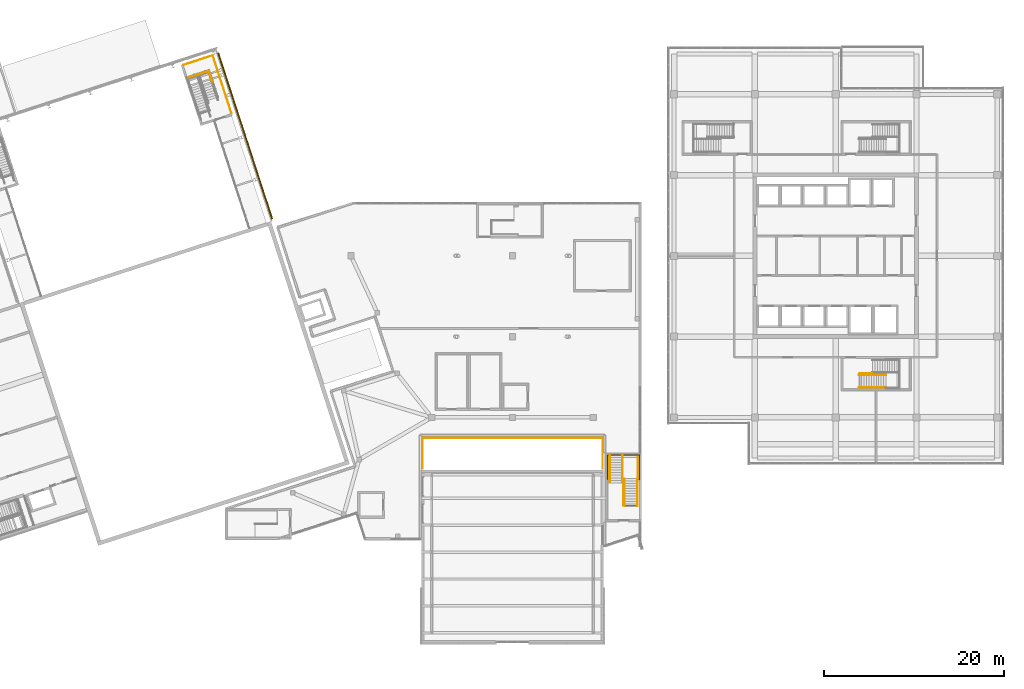
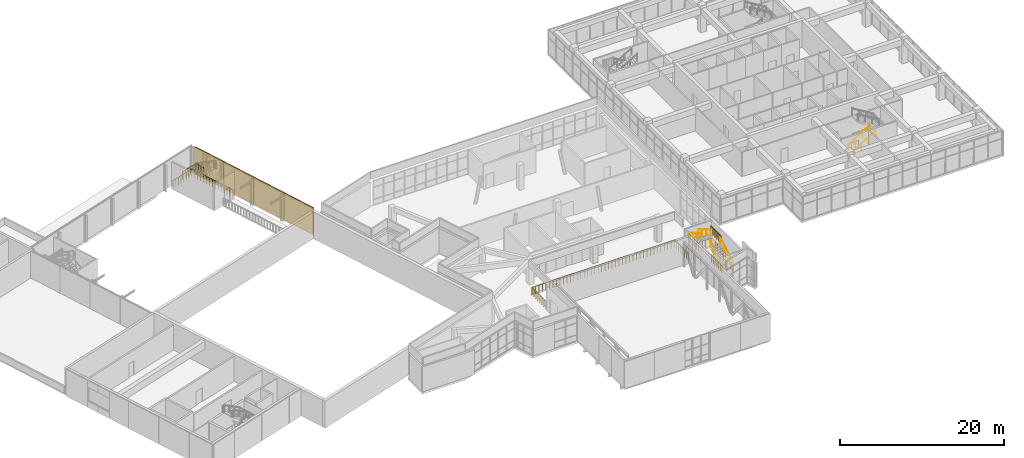
# One storey, part 70 of 72: 15 railings, 4 coverings.
"""IFC4 building model written with IfcOpenShell, lengths in metres."""

import ifcopenshell
import ifcopenshell.guid

model = None  # the IFC model being written
_history = None  # IfcOwnerHistory: only IFC2X3 demands one
_inside = {}  # id of a spatial element -> (the spatial element, [elements in it])
_under = {}  # id of a project, library or spatial element -> (it, [spatial elements below it])
_declared = {}  # id of a project -> (the project, [libraries it declares])
_typed = {}  # id of a type object -> (the type object, [elements of that type])
_made_of = {}  # id of a material, layer set ... -> (it, [elements and type objects made of it])


def new_model(schema):
    """Start an empty IFC model of exactly this schema.

    Asked for "IFC4X3", IfcOpenShell would pick the latest addendum, in which some entities
    have other attributes; the version numbers below select the first issue.
    IFC2X3 requires an IfcOwnerHistory on every rooted entity: one is made here for all.
    """
    global model, _history
    if schema == "IFC4X3":
        model = ifcopenshell.file(schema_version=(4, 3, 0, 0))
    else:
        model = ifcopenshell.file(schema=schema)
    _inside.clear()
    _under.clear()
    _declared.clear()
    _typed.clear()
    _made_of.clear()
    _history = None
    if model.schema == "IFC2X3":
        org = make("IfcOrganization", Name="unknown")
        user = make(
            "IfcPersonAndOrganization",
            ThePerson=make("IfcPerson", FamilyName="unknown"),
            TheOrganization=org,
        )
        app = make(
            "IfcApplication",
            ApplicationDeveloper=org,
            Version="unknown",
            ApplicationFullName="unknown",
            ApplicationIdentifier="unknown",
        )
        _history = make(
            "IfcOwnerHistory",
            OwningUser=user,
            OwningApplication=app,
            ChangeAction="ADDED",
            CreationDate=0,
        )
    return model


def make(cls, **values):
    """One entity of the class cls with the attributes given. An attribute that is None is left unset."""
    return model.create_entity(
        cls, **{name: value for name, value in values.items() if value is not None}
    )


def rooted(cls, **values):
    """An entity with a GlobalId (a new one), such as an element, a storey or a relation."""
    return make(cls, GlobalId=ifcopenshell.guid.new(), OwnerHistory=_history, **values)


def si_unit(unit_type, name, prefix=None):
    """IfcSIUnit, for example si_unit("LENGTHUNIT", "METRE", prefix="MILLI")."""
    return make("IfcSIUnit", UnitType=unit_type, Prefix=prefix, Name=name)


def assignment(units):
    """IfcUnitAssignment: the units of a project."""
    return None if units is None else make("IfcUnitAssignment", Units=units)


def point(xyz):
    """IfcCartesianPoint."""
    return None if xyz is None else make("IfcCartesianPoint", Coordinates=xyz)


def direction(xyz):
    """IfcDirection."""
    return None if xyz is None else make("IfcDirection", DirectionRatios=xyz)


def frame(location, z_axis=None, x_axis=None):
    """IfcAxis2Placement3D, a coordinate frame: its origin and axes. An axis left out is left unset."""
    return make(
        "IfcAxis2Placement3D",
        Location=point(location),
        Axis=direction(z_axis),
        RefDirection=direction(x_axis),
    )


def frame_2d(location, x_axis=None):
    """IfcAxis2Placement2D, a coordinate frame in the plane: its origin and x axis."""
    return make(
        "IfcAxis2Placement2D", Location=point(location), RefDirection=direction(x_axis)
    )


def origin():
    """The frame at (0, 0, 0) with its axes left unset."""
    return frame((0.0, 0.0, 0.0))


def origin_2d():
    """The frame at (0, 0) in the plane with its x axis left unset."""
    return frame_2d((0.0, 0.0))


def place(relative_to, where):
    """IfcLocalPlacement: puts the frame where relative to a parent placement (None: the world)."""
    return make(
        "IfcLocalPlacement", PlacementRelTo=relative_to, RelativePlacement=where
    )


def context(
    kind, dimensions, precision=None, world=None, true_north=None, identifier=None
):
    """IfcGeometricRepresentationContext, for example the 3D "Model" context."""
    return make(
        "IfcGeometricRepresentationContext",
        ContextIdentifier=identifier,
        ContextType=kind,
        CoordinateSpaceDimension=dimensions,
        Precision=precision,
        WorldCoordinateSystem=world,
        TrueNorth=true_north,
    )


def subcontext(parent, identifier, kind, view, scale=None):
    """IfcGeometricRepresentationSubContext, for example "Body" below "Model"."""
    return make(
        "IfcGeometricRepresentationSubContext",
        ContextIdentifier=identifier,
        ContextType=kind,
        ParentContext=parent,
        TargetScale=scale,
        TargetView=view,
    )


def project(units=None, contexts=None):
    """IfcProject with its units and contexts."""
    return rooted(
        "IfcProject",
        Name="project",
        RepresentationContexts=contexts,
        UnitsInContext=assignment(units),
    )


def spatial(cls, under=None, at=None, **own):
    """A site, building, storey or space (cls), placed at a placement, below another one or the project."""
    s = rooted(cls, ObjectPlacement=at, **own)
    if under is not None:
        _under.setdefault(under.id(), (under, []))[1].append(s)
    return s


def polyline(points):
    """IfcPolyline through the points."""
    return make("IfcPolyline", Points=[point(p) for p in points])


def profile(cls, at=None, kind="AREA", **sizes):
    """A parametric profile (cls). Its sizes go by their IFC names, for example OverallWidth=200.0."""
    return make(cls, ProfileType=kind, Position=at, **sizes)


def circle(**sizes):
    """IfcCircleProfileDef."""
    return profile("IfcCircleProfileDef", **sizes)


def outline(outer, holes=None, kind="AREA"):
    """IfcArbitraryClosedProfileDef: a profile drawn as a closed curve; with holes, ...WithVoids."""
    if holes is None:
        return make("IfcArbitraryClosedProfileDef", ProfileType=kind, OuterCurve=outer)
    return make(
        "IfcArbitraryProfileDefWithVoids",
        ProfileType=kind,
        OuterCurve=outer,
        InnerCurves=holes,
    )


def extrude(swept, where, along, depth):
    """IfcExtrudedAreaSolid: the profile swept, set in the frame where, extruded along a direction by depth."""
    return make(
        "IfcExtrudedAreaSolid",
        SweptArea=swept,
        Position=where,
        ExtrudedDirection=direction(along),
        Depth=depth,
    )


def shape(context_of_items, identifier, shape_type, items):
    """IfcShapeRepresentation: the items that make up one representation, for example the "Body"."""
    return make(
        "IfcShapeRepresentation",
        ContextOfItems=context_of_items,
        RepresentationIdentifier=identifier,
        RepresentationType=shape_type,
        Items=items,
    )


def material(Name=None, Category=None):
    """IfcMaterial."""
    return make("IfcMaterial", Name=Name, Category=Category)


def layer(
    of_material, thickness, ventilated=None, Name=None, Category=None, Priority=None
):
    """IfcMaterialLayer: one layer of a wall or slab, of a material (None: an air gap)."""
    return make(
        "IfcMaterialLayer",
        Material=of_material,
        LayerThickness=thickness,
        IsVentilated=ventilated,
        Name=Name,
        Category=Category,
        Priority=Priority,
    )


def layer_set(layers, Name=None):
    """IfcMaterialLayerSet."""
    return make("IfcMaterialLayerSet", MaterialLayers=layers, LayerSetName=Name)


def made_of(thing, what):
    """Note that an element or type object is made of a material, layer set ...; save() writes the relation."""
    if what is not None:
        _made_of.setdefault(what.id(), (what, []))[1].append(thing)
    return thing


def type_object(cls, material=None, **own):
    """A type object (cls), such as IfcWallType, which elements share."""
    return made_of(rooted(cls, **own), material)


def element(
    cls,
    number,
    at=None,
    inside=None,
    cuts=None,
    type_object=None,
    material=None,
    context=None,
    identifier="Body",
    shape_type=None,
    held_by="IfcProductDefinitionShape",
    body=None,
    shapes=None,
    **own,
):
    """One element of the class cls, such as IfcWall. Its Tag is "e" and its number.

    at: its placement. inside: the storey or other place that contains it. cuts: it is an
    opening in that element (IfcRelVoidsElement). A single representation is given by context,
    identifier, shape_type and body (its items); several are given by shapes. held_by: the class
    of the entity that holds the representations. save() writes the other relations.
    """
    e = rooted(cls, Tag="e%d" % number, ObjectPlacement=at, **own)
    if body is not None:
        shapes = [shape(context, identifier, shape_type, body)]
    if shapes is not None:
        e.Representation = make(held_by, Representations=shapes)
    if inside is not None:
        _inside.setdefault(inside.id(), (inside, []))[1].append(e)
    if cuts is not None:
        rooted(
            "IfcRelVoidsElement", RelatingBuildingElement=cuts, RelatedOpeningElement=e
        )
    if type_object is not None:
        _typed.setdefault(type_object.id(), (type_object, []))[1].append(e)
    return made_of(e, material)


def aggregate(whole, parts):
    """IfcRelAggregates: a whole, such as a stair, and the parts it consists of."""
    return rooted("IfcRelAggregates", RelatingObject=whole, RelatedObjects=parts)


def save(model, path):
    """Write the relations noted so far, then the file.

    IfcRelAggregates (storeys below a building ...), IfcRelContainedInSpatialStructure (elements
    in a storey), IfcRelDefinesByType, IfcRelAssociatesMaterial and IfcRelDeclares: one each for
    every whole, place, type object, material and project.
    """
    for whole, parts in _under.values():
        aggregate(whole, parts)
    for where, things in _inside.values():
        rooted(
            "IfcRelContainedInSpatialStructure",
            RelatedElements=things,
            RelatingStructure=where,
        )
    for kind, things in _typed.values():
        rooted("IfcRelDefinesByType", RelatedObjects=things, RelatingType=kind)
    for what, things in _made_of.values():
        rooted("IfcRelAssociatesMaterial", RelatedObjects=things, RelatingMaterial=what)
    for by, libraries in _declared.values():
        rooted("IfcRelDeclares", RelatingContext=by, RelatedDefinitions=libraries)
    model.write(path)


model = new_model("IFC4")

# Units and contexts
model_context = context("Model", 3, precision=1e-05, world=origin(), true_north=direction((0.0, 1.0)))
body_context = subcontext(model_context, "Body", "Model", "MODEL_VIEW")
ifc_project = project(units=[si_unit("LENGTHUNIT", "METRE"), si_unit("AREAUNIT", "SQUARE_METRE"), si_unit("VOLUMEUNIT", "CUBIC_METRE"), si_unit("PLANEANGLEUNIT", "RADIAN"), si_unit("MASSUNIT", "GRAM", prefix="KILO")], contexts=[model_context])

# Site, building, storey
site_placement = place(None, origin())
site = spatial("IfcSite", under=ifc_project, at=site_placement, CompositionType="ELEMENT")
building_placement = place(site_placement, origin())
building = spatial("IfcBuilding", under=site, at=building_placement, Name="Tuart Plaza Theatre", CompositionType="ELEMENT")
storey_placement = place(building_placement, frame((0.0, 0.0, 13.5)))
storey = spatial("IfcBuildingStorey", under=building, at=storey_placement, Name="L03", CompositionType="ELEMENT", Elevation=13.5)

# Coverings
ifc_material_1 = material(Name="Zinc")
ifc_layer = layer(ifc_material_1, 0.14990234375)
ifc_layer_set = layer_set([ifc_layer], Name="COVERING-ZINC-RAINSCREEN150")
covering_type = type_object("IfcCoveringType", Name="COVERING-ZINC-RAINSCREEN150", PredefinedType="CLADDING", material=ifc_layer_set)
covering_1_placement = place(storey_placement, origin())
element("IfcCovering", 1, at=covering_1_placement, inside=storey, type_object=covering_type, Name="CL12", PredefinedType="CLADDING", context=body_context, shape_type="SweptSolid", body=[
    extrude(outline(polyline([(69.151611328125, 78.084228515625), (67.68701171875, 82.59228515625), (67.82958984375, 82.638671875), (69.29443359375, 78.130615234375), (69.151611328125, 78.084228515625)])), origin(), (0.0, 0.0, 1.0), 4.0),
])
covering_2_placement = place(storey_placement, origin())
element("IfcCovering", 2, at=covering_2_placement, inside=storey, type_object=covering_type, Name="CL13", PredefinedType="CLADDING", context=body_context, shape_type="SweptSolid", body=[
    extrude(outline(polyline([(67.680908203125, 82.611328125), (66.1572265625, 87.300048828125), (66.300048828125, 87.346435546875), (67.823486328125, 82.65771484375), (67.680908203125, 82.611328125)])), origin(), (0.0, 0.0, 1.0), 4.0),
])
covering_3_placement = place(storey_placement, origin())
element("IfcCovering", 3, at=covering_3_placement, inside=storey, type_object=covering_type, Name="CL14", PredefinedType="CLADDING", context=body_context, shape_type="SweptSolid", body=[
    extrude(outline(polyline([(66.151123046875, 87.319091796875), (64.627685546875, 92.0078125), (64.770263671875, 92.05419921875), (66.293701171875, 87.365478515625), (66.151123046875, 87.319091796875)])), origin(), (0.0, 0.0, 1.0), 4.0),
])
covering_4_placement = place(storey_placement, origin())
element("IfcCovering", 4, at=covering_4_placement, inside=storey, type_object=covering_type, Name="CL15", PredefinedType="CLADDING", context=body_context, shape_type="SweptSolid", body=[
    extrude(outline(polyline([(64.62158203125, 92.02685546875), (63.141357421875, 96.582275390625), (63.283935546875, 96.628662109375), (64.76416015625, 92.072998046875), (64.62158203125, 92.02685546875)])), origin(), (0.0, 0.0, 1.0), 4.0),
])

# Railings
ifc_material_2 = material(Name="Steel Grade C350L0", Category="steel")
railing_type_1 = type_object("IfcRailingType", Name="RAILING Guard 1100", PredefinedType="GUARDRAIL", material=ifc_material_2)
railing_1_placement = place(storey_placement, frame((59.880615234375, 93.85107421875, 2.0)))
element("IfcRailing", 5, at=railing_1_placement, inside=storey, type_object=railing_type_1, Name="GR86", PredefinedType="GUARDRAIL", context=body_context, shape_type="SweptSolid", body=[
    extrude(circle(Radius=0.02490234375, at=origin_2d()), frame((0.0, 0.0, 1.0751953125), z_axis=(0.951066681605, 0.308985707017, 0.0), x_axis=(-0.308985707017, 0.951066681605, 0.0)), (0.0, 0.0, 1.0), 2.420166015625),
    extrude(circle(Radius=0.02001953125, at=origin_2d()), origin(), (0.0, 0.0, 1.0), 1.050048828125),
    extrude(circle(Radius=0.02001953125, at=origin_2d()), frame((0.46044921875, 0.149658203125, 0.0)), (0.0, 0.0, 1.0), 1.050048828125),
    extrude(circle(Radius=0.02001953125, at=origin_2d()), frame((0.920654296875, 0.299072265625, 0.0)), (0.0, 0.0, 1.0), 1.050048828125),
    extrude(circle(Radius=0.02001953125, at=origin_2d()), frame((1.381103515625, 0.44873046875, 0.0)), (0.0, 0.0, 1.0), 1.050048828125),
    extrude(circle(Radius=0.02001953125, at=origin_2d()), frame((1.84130859375, 0.59814453125, 0.0)), (0.0, 0.0, 1.0), 1.050048828125),
    extrude(circle(Radius=0.02001953125, at=origin_2d()), frame((2.3017578125, 0.747802734375, 0.0)), (0.0, 0.0, 1.0), 1.050048828125),
])
railing_2_placement = place(storey_placement, frame((62.182373046875, 94.598876953125, 2.0)))
element("IfcRailing", 6, at=railing_2_placement, inside=storey, type_object=railing_type_1, Name="GR87", PredefinedType="GUARDRAIL", context=body_context, shape_type="SweptSolid", body=[
    extrude(circle(Radius=0.02490234375, at=origin_2d()), frame((0.0, 0.0, 1.0751953125), z_axis=(0.309072606719, -0.951038444952, 0.0), x_axis=(0.951038444952, 0.309072606719, 0.0)), (0.0, 0.0, 1.0), 1.22998046875),
    extrude(circle(Radius=0.02001953125, at=origin_2d()), origin(), (0.0, 0.0, 1.0), 1.050048828125),
    extrude(circle(Radius=0.02001953125, at=origin_2d()), frame((0.126708984375, -0.389892578125, 0.0)), (0.0, 0.0, 1.0), 1.050048828125),
    extrude(circle(Radius=0.02001953125, at=origin_2d()), frame((0.25341796875, -0.77978515625, 0.0)), (0.0, 0.0, 1.0), 1.050048828125),
    extrude(circle(Radius=0.02001953125, at=origin_2d()), frame((0.380126953125, -1.169677734375, 0.0)), (0.0, 0.0, 1.0), 1.050048828125),
])
railing_3_placement = place(storey_placement, frame((64.69384765625, 89.894775390625, 0.0)))
element("IfcRailing", 7, at=railing_3_placement, inside=storey, type_object=railing_type_1, Name="GR105", PredefinedType="GUARDRAIL", context=body_context, shape_type="SweptSolid", body=[
    extrude(circle(Radius=0.02490234375, at=origin_2d()), frame((0.0, 0.0, 1.0751953125), z_axis=(-0.309029765674, 0.951052366554, 0.0), x_axis=(-0.951052366554, -0.309029765674, 0.0)), (0.0, 0.0, 1.0), 6.764892578125),
    extrude(circle(Radius=0.02490234375, at=origin_2d()), frame((-2.090576171875, 6.433837890625, 1.0751953125), z_axis=(-0.951065061555, -0.308990693531, 0.0), x_axis=(0.308990693531, -0.951065061555, 0.0)), (0.0, 0.0, 1.0), 3.414794921875),
    extrude(circle(Radius=0.02001953125, at=origin_2d()), origin(), (0.0, 0.0, 1.0), 1.050048828125),
    extrude(circle(Radius=0.02001953125, at=origin_2d()), frame((-0.1494140625, 0.45947265625, 0.0)), (0.0, 0.0, 1.0), 1.050048828125),
    extrude(circle(Radius=0.02001953125, at=origin_2d()), frame((-0.298583984375, 0.919189453125, 0.0)), (0.0, 0.0, 1.0), 1.050048828125),
    extrude(circle(Radius=0.02001953125, at=origin_2d()), frame((-0.447998046875, 1.378662109375, 0.0)), (0.0, 0.0, 1.0), 1.050048828125),
    extrude(circle(Radius=0.02001953125, at=origin_2d()), frame((-0.597412109375, 1.838134765625, 0.0)), (0.0, 0.0, 1.0), 1.050048828125),
    extrude(circle(Radius=0.02001953125, at=origin_2d()), frame((-0.74658203125, 2.2978515625, 0.0)), (0.0, 0.0, 1.0), 1.050048828125),
    extrude(circle(Radius=0.02001953125, at=origin_2d()), frame((-0.89599609375, 2.75732421875, 0.0)), (0.0, 0.0, 1.0), 1.050048828125),
    extrude(circle(Radius=0.02001953125, at=origin_2d()), frame((-1.04541015625, 3.216796875, 0.0)), (0.0, 0.0, 1.0), 1.050048828125),
    extrude(circle(Radius=0.02001953125, at=origin_2d()), frame((-1.194580078125, 3.676513671875, 0.0)), (0.0, 0.0, 1.0), 1.050048828125),
    extrude(circle(Radius=0.02001953125, at=origin_2d()), frame((-1.343994140625, 4.135986328125, 0.0)), (0.0, 0.0, 1.0), 1.050048828125),
    extrude(circle(Radius=0.02001953125, at=origin_2d()), frame((-1.4931640625, 4.595703125, 0.0)), (0.0, 0.0, 1.0), 1.050048828125),
    extrude(circle(Radius=0.02001953125, at=origin_2d()), frame((-1.642578125, 5.05517578125, 0.0)), (0.0, 0.0, 1.0), 1.050048828125),
    extrude(circle(Radius=0.02001953125, at=origin_2d()), frame((-1.7919921875, 5.5146484375, 0.0)), (0.0, 0.0, 1.0), 1.050048828125),
    extrude(circle(Radius=0.02001953125, at=origin_2d()), frame((-1.941162109375, 5.974365234375, 0.0)), (0.0, 0.0, 1.0), 1.050048828125),
    extrude(circle(Radius=0.02001953125, at=origin_2d()), frame((-2.090576171875, 6.433837890625, 0.0)), (0.0, 0.0, 1.0), 1.050048828125),
    extrude(circle(Radius=0.02001953125, at=origin_2d()), frame((-2.554443359375, 6.283203125, 0.0)), (0.0, 0.0, 1.0), 1.050048828125),
    extrude(circle(Radius=0.02001953125, at=origin_2d()), frame((-3.0185546875, 6.13232421875, 0.0)), (0.0, 0.0, 1.0), 1.050048828125),
    extrude(circle(Radius=0.02001953125, at=origin_2d()), frame((-3.482421875, 5.981689453125, 0.0)), (0.0, 0.0, 1.0), 1.050048828125),
    extrude(circle(Radius=0.02001953125, at=origin_2d()), frame((-3.946533203125, 5.830810546875, 0.0)), (0.0, 0.0, 1.0), 1.050048828125),
    extrude(circle(Radius=0.02001953125, at=origin_2d()), frame((-4.410400390625, 5.68017578125, 0.0)), (0.0, 0.0, 1.0), 1.050048828125),
    extrude(circle(Radius=0.02001953125, at=origin_2d()), frame((-4.87451171875, 5.529296875, 0.0)), (0.0, 0.0, 1.0), 1.050048828125),
    extrude(circle(Radius=0.02001953125, at=origin_2d()), frame((-5.33837890625, 5.378662109375, 0.0)), (0.0, 0.0, 1.0), 1.050048828125),
])
railing_4_placement = place(storey_placement, frame((108.3798828125, 46.159912109375, 0.0)))
element("IfcRailing", 8, at=railing_4_placement, inside=storey, type_object=railing_type_1, Name="GR151", PredefinedType="GUARDRAIL", context=body_context, shape_type="SweptSolid", body=[
    extrude(circle(Radius=0.02490234375, at=origin_2d()), frame((0.0, 0.0, 1.0751953125), z_axis=(0.0, 1.0, 0.0), x_axis=(-1.0, 0.0, 0.0)), (0.0, 0.0, 1.0), 2.5751953125),
    extrude(circle(Radius=0.02001953125, at=origin_2d()), origin(), (0.0, 0.0, 1.0), 1.050048828125),
    extrude(circle(Radius=0.02001953125, at=origin_2d()), frame((0.0, 0.42919921875, 0.0)), (0.0, 0.0, 1.0), 1.050048828125),
    extrude(circle(Radius=0.02001953125, at=origin_2d()), frame((0.0, 0.8583984375, 0.0)), (0.0, 0.0, 1.0), 1.050048828125),
    extrude(circle(Radius=0.02001953125, at=origin_2d()), frame((0.0, 1.28759765625, 0.0)), (0.0, 0.0, 1.0), 1.050048828125),
    extrude(circle(Radius=0.02001953125, at=origin_2d()), frame((0.0, 1.716796875, 0.0)), (0.0, 0.0, 1.0), 1.050048828125),
    extrude(circle(Radius=0.02001953125, at=origin_2d()), frame((0.0, 2.14599609375, 0.0)), (0.0, 0.0, 1.0), 1.050048828125),
    extrude(circle(Radius=0.02001953125, at=origin_2d()), frame((0.0, 2.5751953125, 0.0)), (0.0, 0.0, 1.0), 1.050048828125),
])
railing_5_placement = place(storey_placement, frame((106.800048828125, 48.739990234375, 0.0)))
element("IfcRailing", 9, at=railing_5_placement, inside=storey, type_object=railing_type_1, Name="GR152", PredefinedType="GUARDRAIL", context=body_context, shape_type="SweptSolid", body=[
    extrude(circle(Radius=0.02490234375, at=origin_2d()), frame((0.0, 0.0, 1.0751953125), z_axis=(-1.0, 0.0, 0.0), x_axis=(0.0, -1.0, 0.0)), (0.0, 0.0, 1.0), 0.045166015625),
    extrude(circle(Radius=0.02490234375, at=origin_2d()), frame((-0.045166015625, 0.0, 1.0751953125), z_axis=(0.0, 1.0, 0.0), x_axis=(-1.0, 0.0, 0.0)), (0.0, 0.0, 1.0), 0.3701171875),
    extrude(circle(Radius=0.02490234375, at=origin_2d()), frame((-0.045166015625, 0.3701171875, 1.0751953125), z_axis=(-1.0, 0.0, 0.0), x_axis=(0.0, -1.0, 0.0)), (0.0, 0.0, 1.0), 0.15478515625),
    extrude(circle(Radius=0.02490234375, at=origin_2d()), frame((-0.199951171875, 0.3701171875, 1.0751953125), z_axis=(0.0, 1.0, 0.0), x_axis=(-1.0, 0.0, 0.0)), (0.0, 0.0, 1.0), 2.68994140625),
    extrude(circle(Radius=0.02490234375, at=origin_2d()), frame((-0.199951171875, 3.06005859375, 1.0751953125), z_axis=(1.0, 0.0, 0.0), x_axis=(0.0, 1.0, 0.0)), (0.0, 0.0, 1.0), 3.559814453125),
    extrude(circle(Radius=0.02490234375, at=origin_2d()), frame((3.35986328125, 3.06005859375, 1.0751953125), z_axis=(0.0, -1.0, 0.0), x_axis=(1.0, 0.0, 0.0)), (0.0, 0.0, 1.0), 2.68994140625),
    extrude(circle(Radius=0.02490234375, at=origin_2d()), frame((3.35986328125, 0.3701171875, 1.0751953125), z_axis=(-1.0, 0.0, 0.0), x_axis=(0.0, -1.0, 0.0)), (0.0, 0.0, 1.0), 0.155029296875),
    extrude(circle(Radius=0.02490234375, at=origin_2d()), frame((3.204833984375, 0.3701171875, 1.0751953125), z_axis=(0.0, -1.0, 0.0), x_axis=(1.0, 0.0, 0.0)), (0.0, 0.0, 1.0), 2.9501953125),
    extrude(circle(Radius=0.02490234375, at=origin_2d()), frame((3.204833984375, -2.580078125, 1.0751953125), z_axis=(-1.0, 0.0, 0.0), x_axis=(0.0, -1.0, 0.0)), (0.0, 0.0, 1.0), 1.625),
    extrude(circle(Radius=0.02001953125, at=origin_2d()), origin(), (0.0, 0.0, 1.0), 1.050048828125),
    extrude(circle(Radius=0.02001953125, at=origin_2d()), frame((-0.045166015625, 0.0, 0.0)), (0.0, 0.0, 1.0), 1.050048828125),
    extrude(circle(Radius=0.02001953125, at=origin_2d()), frame((-0.045166015625, 0.3701171875, 0.0)), (0.0, 0.0, 1.0), 1.050048828125),
    extrude(circle(Radius=0.02001953125, at=origin_2d()), frame((-0.199951171875, 0.3701171875, 0.0)), (0.0, 0.0, 1.0), 1.050048828125),
    extrude(circle(Radius=0.02001953125, at=origin_2d()), frame((-0.199951171875, 0.818359375, 0.0)), (0.0, 0.0, 1.0), 1.050048828125),
    extrude(circle(Radius=0.02001953125, at=origin_2d()), frame((-0.199951171875, 1.266845703125, 0.0)), (0.0, 0.0, 1.0), 1.050048828125),
    extrude(circle(Radius=0.02001953125, at=origin_2d()), frame((-0.199951171875, 1.715087890625, 0.0)), (0.0, 0.0, 1.0), 1.050048828125),
    extrude(circle(Radius=0.02001953125, at=origin_2d()), frame((-0.199951171875, 2.163330078125, 0.0)), (0.0, 0.0, 1.0), 1.050048828125),
    extrude(circle(Radius=0.02001953125, at=origin_2d()), frame((-0.199951171875, 2.61181640625, 0.0)), (0.0, 0.0, 1.0), 1.050048828125),
    extrude(circle(Radius=0.02001953125, at=origin_2d()), frame((-0.199951171875, 3.06005859375, 0.0)), (0.0, 0.0, 1.0), 1.050048828125),
    extrude(circle(Radius=0.02001953125, at=origin_2d()), frame((0.2451171875, 3.06005859375, 0.0)), (0.0, 0.0, 1.0), 1.050048828125),
    extrude(circle(Radius=0.02001953125, at=origin_2d()), frame((0.68994140625, 3.06005859375, 0.0)), (0.0, 0.0, 1.0), 1.050048828125),
    extrude(circle(Radius=0.02001953125, at=origin_2d()), frame((1.135009765625, 3.06005859375, 0.0)), (0.0, 0.0, 1.0), 1.050048828125),
    extrude(circle(Radius=0.02001953125, at=origin_2d()), frame((1.580078125, 3.06005859375, 0.0)), (0.0, 0.0, 1.0), 1.050048828125),
    extrude(circle(Radius=0.02001953125, at=origin_2d()), frame((2.02490234375, 3.06005859375, 0.0)), (0.0, 0.0, 1.0), 1.050048828125),
    extrude(circle(Radius=0.02001953125, at=origin_2d()), frame((2.469970703125, 3.06005859375, 0.0)), (0.0, 0.0, 1.0), 1.050048828125),
    extrude(circle(Radius=0.02001953125, at=origin_2d()), frame((2.914794921875, 3.06005859375, 0.0)), (0.0, 0.0, 1.0), 1.050048828125),
    extrude(circle(Radius=0.02001953125, at=origin_2d()), frame((3.35986328125, 3.06005859375, 0.0)), (0.0, 0.0, 1.0), 1.050048828125),
    extrude(circle(Radius=0.02001953125, at=origin_2d()), frame((3.35986328125, 2.61181640625, 0.0)), (0.0, 0.0, 1.0), 1.050048828125),
    extrude(circle(Radius=0.02001953125, at=origin_2d()), frame((3.35986328125, 2.163330078125, 0.0)), (0.0, 0.0, 1.0), 1.050048828125),
    extrude(circle(Radius=0.02001953125, at=origin_2d()), frame((3.35986328125, 1.715087890625, 0.0)), (0.0, 0.0, 1.0), 1.050048828125),
    extrude(circle(Radius=0.02001953125, at=origin_2d()), frame((3.35986328125, 1.266845703125, 0.0)), (0.0, 0.0, 1.0), 1.050048828125),
    extrude(circle(Radius=0.02001953125, at=origin_2d()), frame((3.35986328125, 0.818359375, 0.0)), (0.0, 0.0, 1.0), 1.050048828125),
    extrude(circle(Radius=0.02001953125, at=origin_2d()), frame((3.35986328125, 0.3701171875, 0.0)), (0.0, 0.0, 1.0), 1.050048828125),
    extrude(circle(Radius=0.02001953125, at=origin_2d()), frame((3.204833984375, 0.3701171875, 0.0)), (0.0, 0.0, 1.0), 1.050048828125),
    extrude(circle(Radius=0.02001953125, at=origin_2d()), frame((3.204833984375, -0.12158203125, 0.0)), (0.0, 0.0, 1.0), 1.050048828125),
    extrude(circle(Radius=0.02001953125, at=origin_2d()), frame((3.204833984375, -0.61328125, 0.0)), (0.0, 0.0, 1.0), 1.050048828125),
    extrude(circle(Radius=0.02001953125, at=origin_2d()), frame((3.204833984375, -1.10498046875, 0.0)), (0.0, 0.0, 1.0), 1.050048828125),
    extrude(circle(Radius=0.02001953125, at=origin_2d()), frame((3.204833984375, -1.5966796875, 0.0)), (0.0, 0.0, 1.0), 1.050048828125),
    extrude(circle(Radius=0.02001953125, at=origin_2d()), frame((3.204833984375, -2.08837890625, 0.0)), (0.0, 0.0, 1.0), 1.050048828125),
    extrude(circle(Radius=0.02001953125, at=origin_2d()), frame((3.204833984375, -2.580078125, 0.0)), (0.0, 0.0, 1.0), 1.050048828125),
    extrude(circle(Radius=0.02001953125, at=origin_2d()), frame((2.798583984375, -2.580078125, 0.0)), (0.0, 0.0, 1.0), 1.050048828125),
    extrude(circle(Radius=0.02001953125, at=origin_2d()), frame((2.392333984375, -2.580078125, 0.0)), (0.0, 0.0, 1.0), 1.050048828125),
    extrude(circle(Radius=0.02001953125, at=origin_2d()), frame((1.986083984375, -2.580078125, 0.0)), (0.0, 0.0, 1.0), 1.050048828125),
    extrude(circle(Radius=0.02001953125, at=origin_2d()), frame((1.579833984375, -2.580078125, 0.0)), (0.0, 0.0, 1.0), 1.050048828125),
])
railing_6_placement = place(storey_placement, frame((109.955078125, 49.159912109375, 2.0)))
element("IfcRailing", 10, at=railing_6_placement, inside=storey, type_object=railing_type_1, Name="GR161", PredefinedType="GUARDRAIL", context=body_context, shape_type="SweptSolid", body=[
    extrude(circle(Radius=0.02490234375, at=origin_2d()), frame((0.0, 0.0, 1.0751953125), z_axis=(0.0, 1.0, 0.0), x_axis=(-1.0, 0.0, 0.0)), (0.0, 0.0, 1.0), 2.440185546875),
    extrude(circle(Radius=0.02001953125, at=origin_2d()), origin(), (0.0, 0.0, 1.0), 1.050048828125),
    extrude(circle(Radius=0.02001953125, at=origin_2d()), frame((0.0, 0.488037109375, 0.0)), (0.0, 0.0, 1.0), 1.050048828125),
    extrude(circle(Radius=0.02001953125, at=origin_2d()), frame((0.0, 0.97607421875, 0.0)), (0.0, 0.0, 1.0), 1.050048828125),
    extrude(circle(Radius=0.02001953125, at=origin_2d()), frame((0.0, 1.464111328125, 0.0)), (0.0, 0.0, 1.0), 1.050048828125),
    extrude(circle(Radius=0.02001953125, at=origin_2d()), frame((0.0, 1.9521484375, 0.0)), (0.0, 0.0, 1.0), 1.050048828125),
    extrude(circle(Radius=0.02001953125, at=origin_2d()), frame((0.0, 2.440185546875, 0.0)), (0.0, 0.0, 1.0), 1.050048828125),
])
railing_7_placement = place(storey_placement, frame((106.804931640625, 51.60009765625, 2.0)))
element("IfcRailing", 11, at=railing_7_placement, inside=storey, type_object=railing_type_1, Name="GR162", PredefinedType="GUARDRAIL", context=body_context, shape_type="SweptSolid", body=[
    extrude(circle(Radius=0.02490234375, at=origin_2d()), frame((0.0, 0.0, 1.0751953125), z_axis=(0.0, -1.0, 0.0), x_axis=(1.0, 0.0, 0.0)), (0.0, 0.0, 1.0), 2.440185546875),
    extrude(circle(Radius=0.02001953125, at=origin_2d()), origin(), (0.0, 0.0, 1.0), 1.050048828125),
    extrude(circle(Radius=0.02001953125, at=origin_2d()), frame((0.0, -0.488037109375, 0.0)), (0.0, 0.0, 1.0), 1.050048828125),
    extrude(circle(Radius=0.02001953125, at=origin_2d()), frame((0.0, -0.97607421875, 0.0)), (0.0, 0.0, 1.0), 1.050048828125),
    extrude(circle(Radius=0.02001953125, at=origin_2d()), frame((0.0, -1.464111328125, 0.0)), (0.0, 0.0, 1.0), 1.050048828125),
    extrude(circle(Radius=0.02001953125, at=origin_2d()), frame((0.0, -1.9521484375, 0.0)), (0.0, 0.0, 1.0), 1.050048828125),
    extrude(circle(Radius=0.02001953125, at=origin_2d()), frame((0.0, -2.440185546875, 0.0)), (0.0, 0.0, 1.0), 1.050048828125),
])
railing_8_placement = place(storey_placement, frame((85.949951171875, 50.300048828125, 0.0)))
element("IfcRailing", 12, at=railing_8_placement, inside=storey, type_object=railing_type_1, Name="GR198", PredefinedType="GUARDRAIL", context=body_context, shape_type="SweptSolid", body=[
    extrude(circle(Radius=0.02490234375, at=origin_2d()), frame((0.0, 0.0, 1.0751953125), z_axis=(0.0, 1.0, 0.0), x_axis=(-1.0, 0.0, 0.0)), (0.0, 0.0, 1.0), 3.39990234375),
    extrude(circle(Radius=0.02490234375, at=origin_2d()), frame((0.0, 3.39990234375, 1.0751953125), z_axis=(1.0, 0.0, 0.0), x_axis=(0.0, 1.0, 0.0)), (0.0, 0.0, 1.0), 20.10009765625),
    extrude(circle(Radius=0.02490234375, at=origin_2d()), frame((20.10009765625, 3.39990234375, 1.0751953125), z_axis=(0.0, -1.0, 0.0), x_axis=(1.0, 0.0, 0.0)), (0.0, 0.0, 1.0), 3.39990234375),
    extrude(circle(Radius=0.02001953125, at=origin_2d()), origin(), (0.0, 0.0, 1.0), 1.050048828125),
    extrude(circle(Radius=0.02001953125, at=origin_2d()), frame((0.0, 0.485595703125, 0.0)), (0.0, 0.0, 1.0), 1.050048828125),
    extrude(circle(Radius=0.02001953125, at=origin_2d()), frame((0.0, 0.971435546875, 0.0)), (0.0, 0.0, 1.0), 1.050048828125),
    extrude(circle(Radius=0.02001953125, at=origin_2d()), frame((0.0, 1.45703125, 0.0)), (0.0, 0.0, 1.0), 1.050048828125),
    extrude(circle(Radius=0.02001953125, at=origin_2d()), frame((0.0, 1.94287109375, 0.0)), (0.0, 0.0, 1.0), 1.050048828125),
    extrude(circle(Radius=0.02001953125, at=origin_2d()), frame((0.0, 2.428466796875, 0.0)), (0.0, 0.0, 1.0), 1.050048828125),
    extrude(circle(Radius=0.02001953125, at=origin_2d()), frame((0.0, 2.914306640625, 0.0)), (0.0, 0.0, 1.0), 1.050048828125),
    extrude(circle(Radius=0.02001953125, at=origin_2d()), frame((0.0, 3.39990234375, 0.0)), (0.0, 0.0, 1.0), 1.050048828125),
    extrude(circle(Radius=0.02001953125, at=origin_2d()), frame((0.490234375, 3.39990234375, 0.0)), (0.0, 0.0, 1.0), 1.050048828125),
    extrude(circle(Radius=0.02001953125, at=origin_2d()), frame((0.98046875, 3.39990234375, 0.0)), (0.0, 0.0, 1.0), 1.050048828125),
    extrude(circle(Radius=0.02001953125, at=origin_2d()), frame((1.470703125, 3.39990234375, 0.0)), (0.0, 0.0, 1.0), 1.050048828125),
    extrude(circle(Radius=0.02001953125, at=origin_2d()), frame((1.9609375, 3.39990234375, 0.0)), (0.0, 0.0, 1.0), 1.050048828125),
    extrude(circle(Radius=0.02001953125, at=origin_2d()), frame((2.451171875, 3.39990234375, 0.0)), (0.0, 0.0, 1.0), 1.050048828125),
    extrude(circle(Radius=0.02001953125, at=origin_2d()), frame((2.94140625, 3.39990234375, 0.0)), (0.0, 0.0, 1.0), 1.050048828125),
    extrude(circle(Radius=0.02001953125, at=origin_2d()), frame((3.431640625, 3.39990234375, 0.0)), (0.0, 0.0, 1.0), 1.050048828125),
    extrude(circle(Radius=0.02001953125, at=origin_2d()), frame((3.921875, 3.39990234375, 0.0)), (0.0, 0.0, 1.0), 1.050048828125),
    extrude(circle(Radius=0.02001953125, at=origin_2d()), frame((4.412109375, 3.39990234375, 0.0)), (0.0, 0.0, 1.0), 1.050048828125),
    extrude(circle(Radius=0.02001953125, at=origin_2d()), frame((4.90234375, 3.39990234375, 0.0)), (0.0, 0.0, 1.0), 1.050048828125),
    extrude(circle(Radius=0.02001953125, at=origin_2d()), frame((5.392822265625, 3.39990234375, 0.0)), (0.0, 0.0, 1.0), 1.050048828125),
    extrude(circle(Radius=0.02001953125, at=origin_2d()), frame((5.883056640625, 3.39990234375, 0.0)), (0.0, 0.0, 1.0), 1.050048828125),
    extrude(circle(Radius=0.02001953125, at=origin_2d()), frame((6.373291015625, 3.39990234375, 0.0)), (0.0, 0.0, 1.0), 1.050048828125),
    extrude(circle(Radius=0.02001953125, at=origin_2d()), frame((6.863525390625, 3.39990234375, 0.0)), (0.0, 0.0, 1.0), 1.050048828125),
    extrude(circle(Radius=0.02001953125, at=origin_2d()), frame((7.353759765625, 3.39990234375, 0.0)), (0.0, 0.0, 1.0), 1.050048828125),
    extrude(circle(Radius=0.02001953125, at=origin_2d()), frame((7.843994140625, 3.39990234375, 0.0)), (0.0, 0.0, 1.0), 1.050048828125),
    extrude(circle(Radius=0.02001953125, at=origin_2d()), frame((8.334228515625, 3.39990234375, 0.0)), (0.0, 0.0, 1.0), 1.050048828125),
    extrude(circle(Radius=0.02001953125, at=origin_2d()), frame((8.824462890625, 3.39990234375, 0.0)), (0.0, 0.0, 1.0), 1.050048828125),
    extrude(circle(Radius=0.02001953125, at=origin_2d()), frame((9.314697265625, 3.39990234375, 0.0)), (0.0, 0.0, 1.0), 1.050048828125),
    extrude(circle(Radius=0.02001953125, at=origin_2d()), frame((9.804931640625, 3.39990234375, 0.0)), (0.0, 0.0, 1.0), 1.050048828125),
    extrude(circle(Radius=0.02001953125, at=origin_2d()), frame((10.295166015625, 3.39990234375, 0.0)), (0.0, 0.0, 1.0), 1.050048828125),
    extrude(circle(Radius=0.02001953125, at=origin_2d()), frame((10.785400390625, 3.39990234375, 0.0)), (0.0, 0.0, 1.0), 1.050048828125),
    extrude(circle(Radius=0.02001953125, at=origin_2d()), frame((11.275634765625, 3.39990234375, 0.0)), (0.0, 0.0, 1.0), 1.050048828125),
    extrude(circle(Radius=0.02001953125, at=origin_2d()), frame((11.765869140625, 3.39990234375, 0.0)), (0.0, 0.0, 1.0), 1.050048828125),
    extrude(circle(Radius=0.02001953125, at=origin_2d()), frame((12.256103515625, 3.39990234375, 0.0)), (0.0, 0.0, 1.0), 1.050048828125),
    extrude(circle(Radius=0.02001953125, at=origin_2d()), frame((12.746337890625, 3.39990234375, 0.0)), (0.0, 0.0, 1.0), 1.050048828125),
    extrude(circle(Radius=0.02001953125, at=origin_2d()), frame((13.236572265625, 3.39990234375, 0.0)), (0.0, 0.0, 1.0), 1.050048828125),
    extrude(circle(Radius=0.02001953125, at=origin_2d()), frame((13.726806640625, 3.39990234375, 0.0)), (0.0, 0.0, 1.0), 1.050048828125),
    extrude(circle(Radius=0.02001953125, at=origin_2d()), frame((14.217041015625, 3.39990234375, 0.0)), (0.0, 0.0, 1.0), 1.050048828125),
    extrude(circle(Radius=0.02001953125, at=origin_2d()), frame((14.707275390625, 3.39990234375, 0.0)), (0.0, 0.0, 1.0), 1.050048828125),
    extrude(circle(Radius=0.02001953125, at=origin_2d()), frame((15.19775390625, 3.39990234375, 0.0)), (0.0, 0.0, 1.0), 1.050048828125),
    extrude(circle(Radius=0.02001953125, at=origin_2d()), frame((15.68798828125, 3.39990234375, 0.0)), (0.0, 0.0, 1.0), 1.050048828125),
    extrude(circle(Radius=0.02001953125, at=origin_2d()), frame((16.17822265625, 3.39990234375, 0.0)), (0.0, 0.0, 1.0), 1.050048828125),
    extrude(circle(Radius=0.02001953125, at=origin_2d()), frame((16.66845703125, 3.39990234375, 0.0)), (0.0, 0.0, 1.0), 1.050048828125),
    extrude(circle(Radius=0.02001953125, at=origin_2d()), frame((17.15869140625, 3.39990234375, 0.0)), (0.0, 0.0, 1.0), 1.050048828125),
    extrude(circle(Radius=0.02001953125, at=origin_2d()), frame((17.64892578125, 3.39990234375, 0.0)), (0.0, 0.0, 1.0), 1.050048828125),
    extrude(circle(Radius=0.02001953125, at=origin_2d()), frame((18.13916015625, 3.39990234375, 0.0)), (0.0, 0.0, 1.0), 1.050048828125),
    extrude(circle(Radius=0.02001953125, at=origin_2d()), frame((18.62939453125, 3.39990234375, 0.0)), (0.0, 0.0, 1.0), 1.050048828125),
    extrude(circle(Radius=0.02001953125, at=origin_2d()), frame((19.11962890625, 3.39990234375, 0.0)), (0.0, 0.0, 1.0), 1.050048828125),
    extrude(circle(Radius=0.02001953125, at=origin_2d()), frame((19.60986328125, 3.39990234375, 0.0)), (0.0, 0.0, 1.0), 1.050048828125),
    extrude(circle(Radius=0.02001953125, at=origin_2d()), frame((20.10009765625, 3.39990234375, 0.0)), (0.0, 0.0, 1.0), 1.050048828125),
    extrude(circle(Radius=0.02001953125, at=origin_2d()), frame((20.10009765625, 2.914306640625, 0.0)), (0.0, 0.0, 1.0), 1.050048828125),
    extrude(circle(Radius=0.02001953125, at=origin_2d()), frame((20.10009765625, 2.428466796875, 0.0)), (0.0, 0.0, 1.0), 1.050048828125),
    extrude(circle(Radius=0.02001953125, at=origin_2d()), frame((20.10009765625, 1.94287109375, 0.0)), (0.0, 0.0, 1.0), 1.050048828125),
    extrude(circle(Radius=0.02001953125, at=origin_2d()), frame((20.10009765625, 1.45703125, 0.0)), (0.0, 0.0, 1.0), 1.050048828125),
    extrude(circle(Radius=0.02001953125, at=origin_2d()), frame((20.10009765625, 0.971435546875, 0.0)), (0.0, 0.0, 1.0), 1.050048828125),
    extrude(circle(Radius=0.02001953125, at=origin_2d()), frame((20.10009765625, 0.485595703125, 0.0)), (0.0, 0.0, 1.0), 1.050048828125),
    extrude(circle(Radius=0.02001953125, at=origin_2d()), frame((20.10009765625, 0.0, 0.0)), (0.0, 0.0, 1.0), 1.050048828125),
])
railing_9_placement = place(storey_placement, frame((134.655029296875, 60.875, 0.0)))
element("IfcRailing", 13, at=railing_9_placement, inside=storey, type_object=railing_type_1, Name="GR209", PredefinedType="GUARDRAIL", context=body_context, shape_type="SweptSolid", body=[
    extrude(circle(Radius=0.02490234375, at=origin_2d()), frame((0.0, 0.0, 1.0751953125), z_axis=(1.0, 0.0, 0.0), x_axis=(0.0, 1.0, 0.0)), (0.0, 0.0, 1.0), 1.455078125),
    extrude(circle(Radius=0.02001953125, at=origin_2d()), origin(), (0.0, 0.0, 1.0), 1.050048828125),
    extrude(circle(Radius=0.02001953125, at=origin_2d()), frame((0.485107421875, 0.0, 0.0)), (0.0, 0.0, 1.0), 1.050048828125),
    extrude(circle(Radius=0.02001953125, at=origin_2d()), frame((0.969970703125, 0.0, 0.0)), (0.0, 0.0, 1.0), 1.050048828125),
    extrude(circle(Radius=0.02001953125, at=origin_2d()), frame((1.455078125, 0.0, 0.0)), (0.0, 0.0, 1.0), 1.050048828125),
])
ifc_material_3 = material(Name="Steel Grade C350L0", Category="steel")
railing_type_2 = type_object("IfcRailingType", Name="RAILING Handrail 900", PredefinedType="HANDRAIL", material=ifc_material_3)
for number, where, name in (
    (14, (108.5048828125, 46.10009765625, 0.166748046875), "HR91"),
    (15, (109.905029296875, 46.10009765625, 0.166748046875), "HR92"),
):
    element("IfcRailing", number, at=place(storey_placement, frame(where)), inside=storey, type_object=railing_type_2, Name=name, PredefinedType="HANDRAIL", context=body_context, shape_type="SweptSolid", body=[
        extrude(circle(Radius=0.0224609375, at=origin_2d()), frame((0.0, 0.0, 0.87744140625), z_axis=(0.0, 0.859290745958, 0.51148745235), x_axis=(-1.0, 0.0, 0.0)), (0.0, 0.0, 1.0), 3.584228515625),
        extrude(circle(Radius=0.01513671875, at=origin_2d()), origin(), (0.0, 0.0, 1.0), 0.85498046875),
        extrude(circle(Radius=0.01513671875, at=origin_2d()), frame((0.0, 1.026611328125, 0.611083984375)), (0.0, 0.0, 1.0), 0.85498046875),
        extrude(circle(Radius=0.01513671875, at=origin_2d()), frame((0.0, 2.05322265625, 1.22216796875)), (0.0, 0.0, 1.0), 0.85498046875),
        extrude(circle(Radius=0.01513671875, at=origin_2d()), frame((0.0, 3.079833984375, 1.833251953125)), (0.0, 0.0, 1.0), 0.85498046875),
    ])
for number, where, name in (
    (16, (108.2548828125, 51.800048828125, 2.166748046875), "HR93"),
    (17, (106.85498046875, 51.800048828125, 2.166748046875), "HR94"),
):
    element("IfcRailing", number, at=place(storey_placement, frame(where)), inside=storey, type_object=railing_type_2, Name=name, PredefinedType="HANDRAIL", context=body_context, shape_type="SweptSolid", body=[
        extrude(circle(Radius=0.0224609375, at=origin_2d()), frame((0.0, 0.0, 0.87744140625), z_axis=(0.0, -0.859308565015, 0.511457515432), x_axis=(1.0, 0.0, 0.0)), (0.0, 0.0, 1.0), 3.58447265625),
        extrude(circle(Radius=0.01513671875, at=origin_2d()), origin(), (0.0, 0.0, 1.0), 0.85498046875),
        extrude(circle(Radius=0.01513671875, at=origin_2d()), frame((0.0, -1.026611328125, 0.611083984375)), (0.0, 0.0, 1.0), 0.85498046875),
        extrude(circle(Radius=0.01513671875, at=origin_2d()), frame((0.0, -2.053466796875, 1.22216796875)), (0.0, 0.0, 1.0), 0.85498046875),
        extrude(circle(Radius=0.01513671875, at=origin_2d()), frame((0.0, -3.080078125, 1.833251953125)), (0.0, 0.0, 1.0), 0.85498046875),
    ])
for number, where, name in (
    (18, (134.594970703125, 60.75, 0.166748046875), "HR127"),
    (19, (134.594970703125, 59.35009765625, 0.166748046875), "HR128"),
):
    element("IfcRailing", number, at=place(storey_placement, frame(where)), inside=storey, type_object=railing_type_2, Name=name, PredefinedType="HANDRAIL", context=body_context, shape_type="SweptSolid", body=[
        extrude(circle(Radius=0.0224609375, at=origin_2d()), frame((0.0, 0.0, 0.87744140625), z_axis=(0.855219153138, 0.0, 0.518266533848), x_axis=(0.0, 1.0, 0.0)), (0.0, 0.0, 1.0), 3.537353515625),
        extrude(circle(Radius=0.01513671875, at=origin_2d()), origin(), (0.0, 0.0, 1.0), 0.85498046875),
        extrude(circle(Radius=0.01513671875, at=origin_2d()), frame((1.00830078125, 0.0, 0.611083984375)), (0.0, 0.0, 1.0), 0.85498046875),
        extrude(circle(Radius=0.01513671875, at=origin_2d()), frame((2.016845703125, 0.0, 1.22216796875)), (0.0, 0.0, 1.0), 0.85498046875),
        extrude(circle(Radius=0.01513671875, at=origin_2d()), frame((3.025146484375, 0.0, 1.833251953125)), (0.0, 0.0, 1.0), 0.85498046875),
    ])

save(model, "model.ifc")
